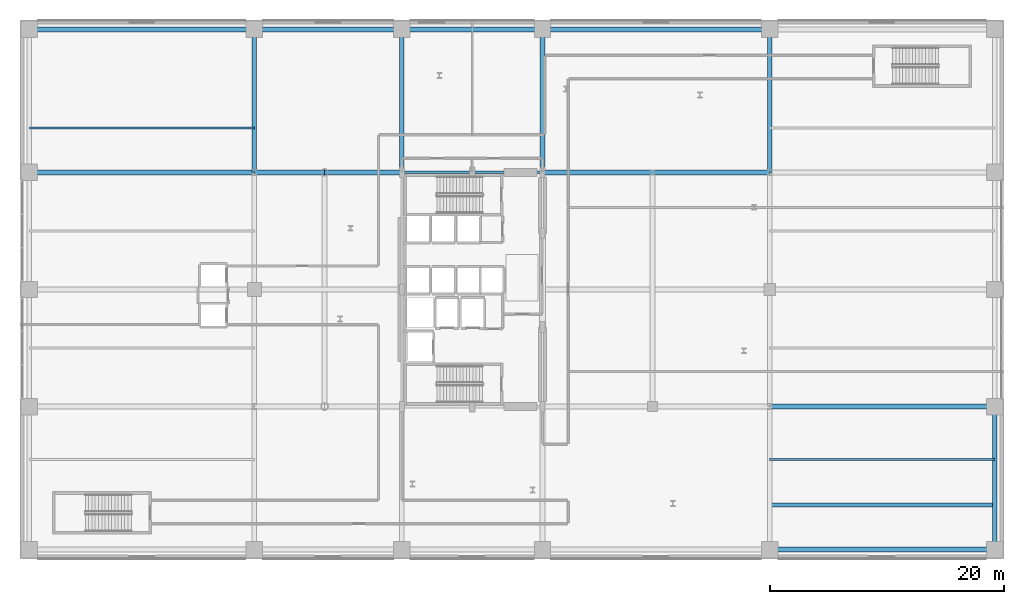
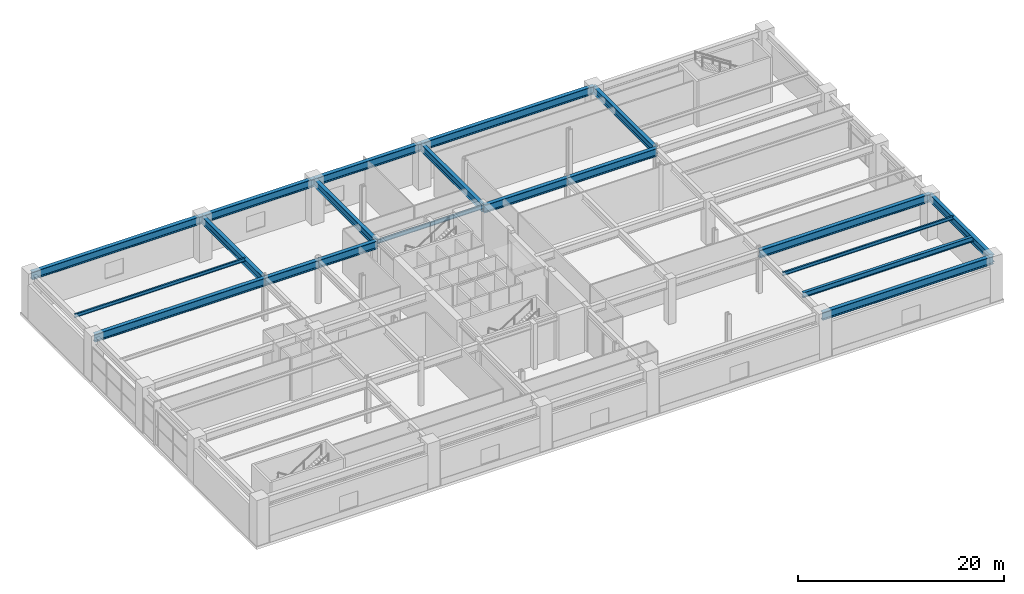
# One storey, part 12 of 28: 21 beams.
"""IFC4 building model written with IfcOpenShell, lengths in metres."""

from ifc_helpers import new_model, si_unit, direction, frame, origin, origin_2d, place, context, subcontext, project, spatial, i_section, extrude, material, material_profile, profile_set, type_object, element, save


model = new_model("IFC4")

# Units and contexts
model_context = context("Model", 3, precision=1e-05, world=origin(), true_north=direction((0.0, 1.0)))
body_context = subcontext(model_context, "Body", "Model", "MODEL_VIEW")
ifc_project = project(units=[si_unit("LENGTHUNIT", "METRE"), si_unit("AREAUNIT", "SQUARE_METRE"), si_unit("VOLUMEUNIT", "CUBIC_METRE"), si_unit("PLANEANGLEUNIT", "RADIAN"), si_unit("MASSUNIT", "GRAM", prefix="KILO")], contexts=[model_context])

# Site, building, storey
site_placement = place(None, origin())
site = spatial("IfcSite", under=ifc_project, at=site_placement, CompositionType="ELEMENT")
building_placement = place(site_placement, origin())
building = spatial("IfcBuilding", under=site, at=building_placement, Name="Soratama Intermodal Tower", CompositionType="ELEMENT")
storey_placement = place(building_placement, frame((0.0, 0.0, 6.0)))
storey = spatial("IfcBuildingStorey", under=building, at=storey_placement, Name="L01", CompositionType="ELEMENT", Elevation=6.0)

# Beams
ifc_material_1 = material(Name="Structural steel ASTM A992 Grade 50", Category="steel")
ifc_material_profile_1 = material_profile(ifc_material_1, i_section(OverallWidth=0.324951171875, OverallDepth=0.615966796875, WebThickness=0.013916015625, FlangeThickness=0.021484375, FilletRadius=0.013916015625, at=origin_2d()), Name="W24X117")
ifc_profile_set_1 = profile_set([ifc_material_profile_1], Name="Structural steel ASTM A992 Grade 50")
beam_type_1 = type_object("IfcBeamType", Name="BM-BACK-W24X117", PredefinedType="BEAM", material=ifc_profile_set_1)
beam_1_placement = place(storey_placement, frame((64.0, 6.60009765625, 4.77197265625), z_axis=(1.0, 0.0, 0.0), x_axis=(0.0, 1.0, 0.0)))
element("IfcBeam", 1, at=beam_1_placement, inside=storey, type_object=beam_type_1, Name="JST-BACK-L01-E", PredefinedType="BEAM", context=body_context, shape_type="SweptSolid", body=[
    extrude(i_section(OverallWidth=0.324951171875, OverallDepth=0.615966796875, WebThickness=0.013916015625, FlangeThickness=0.021484375, FilletRadius=0.013916015625, at=origin_2d()), origin(), (0.0, 0.0, 1.0), 19.199951171875),
])
ifc_material_2 = material(Name="Structural steel ASTM A992 Grade 50", Category="steel")
ifc_material_profile_2 = material_profile(ifc_material_2, i_section(OverallWidth=0.19091796875, OverallDepth=0.4599609375, WebThickness=0.010009765625, FlangeThickness=0.01611328125, FilletRadius=0.010986328125, at=origin_2d()), Name="W18X55")
ifc_profile_set_2 = profile_set([ifc_material_profile_2], Name="Structural steel ASTM A992 Grade 50")
beam_type_2 = type_object("IfcBeamType", Name="BM-FLR-W18X55", PredefinedType="BEAM", material=ifc_profile_set_2)
for number, where, z_axis, x_axis, name in (
    (2, (44.60009765625, 35.0, 4.85009765625), (-1.0, 0.0, 0.0), (0.0, -1.0, 0.0), "BM-L01-CRING-06"),
    (3, (38.60009765625, 35.0, 4.85009765625), (-1.0, 0.0, 0.0), (0.0, -1.0, 0.0), "BM-L01-CRING-07"),
):
    element("IfcBeam", number, at=place(storey_placement, frame(where, z_axis=z_axis, x_axis=x_axis)), inside=storey, type_object=beam_type_2, Name=name, PredefinedType="BEAM", context=body_context, shape_type="SweptSolid", body=[
        extrude(i_section(OverallWidth=0.19091796875, OverallDepth=0.4599609375, WebThickness=0.010009765625, FlangeThickness=0.01611328125, FilletRadius=0.010986328125, at=origin_2d()), origin(), (0.0, 0.0, 1.0), 6.0),
    ])
ifc_material_3 = material(Name="Structural steel ASTM A992 Grade 50", Category="steel")
ifc_material_profile_3 = material_profile(ifc_material_3, i_section(OverallWidth=0.177978515625, OverallDepth=0.406982421875, WebThickness=0.0078125, FlangeThickness=0.0126953125, FilletRadius=0.010009765625, at=origin_2d()), Name="W16X40")
ifc_profile_set_3 = profile_set([ifc_material_profile_3], Name="Structural steel ASTM A992 Grade 50")
beam_type_3 = type_object("IfcBeamType", Name="BM-JST-W16X40", PredefinedType="JOIST", material=ifc_profile_set_3)
for number, where, z_axis, x_axis, name in (
    (4, (64.0, 10.5, 4.87646484375), (1.0, 0.0, 0.0), (0.0, 1.0, 0.0), "JST-L01-E1"),
    (5, (0.800048828125, 38.800048828125, 4.87646484375), (1.0, 0.0, 0.0), (0.0, 1.0, 0.0), "JST-L01-W4"),
):
    element("IfcBeam", number, at=place(storey_placement, frame(where, z_axis=z_axis, x_axis=x_axis)), inside=storey, type_object=beam_type_3, Name=name, PredefinedType="JOIST", context=body_context, shape_type="SweptSolid", body=[
        extrude(i_section(OverallWidth=0.177978515625, OverallDepth=0.406982421875, WebThickness=0.0078125, FlangeThickness=0.0126953125, FilletRadius=0.010009765625, at=origin_2d()), origin(), (0.0, 0.0, 1.0), 19.199951171875),
    ])
ifc_material_4 = material(Name="Structural steel ASTM A992 Grade 50", Category="steel")
ifc_material_profile_4 = material_profile(ifc_material_4, i_section(OverallWidth=0.403076171875, OverallDepth=0.867919921875, WebThickness=0.02099609375, FlangeThickness=0.03564453125, FilletRadius=0.01806640625, at=origin_2d()), Name="W33X241")
ifc_profile_set_4 = profile_set([ifc_material_profile_4], Name="Structural steel ASTM A992 Grade 50")
beam_type_4 = type_object("IfcBeamType", Name="BM-POD-EXT-W33", PredefinedType="BEAM", material=ifc_profile_set_4)
beam_2_placement = place(storey_placement, frame((83.199951171875, 2.800048828125, 4.64599609375), z_axis=(0.0, 1.0, 0.0), x_axis=(-1.0, 0.0, 0.0)))
element("IfcBeam", 6, at=beam_2_placement, inside=storey, type_object=beam_type_4, Name="L01 Station Girder Y4-1", PredefinedType="BEAM", context=body_context, shape_type="SweptSolid", body=[
    extrude(i_section(OverallWidth=0.403076171875, OverallDepth=0.867919921875, WebThickness=0.02099609375, FlangeThickness=0.03564453125, FilletRadius=0.01806640625, at=origin_2d()), origin(), (0.0, 0.0, 1.0), 12.199951171875),
])
ifc_material_5 = material(Name="Structural steel ASTM A992 Grade 50", Category="steel")
ifc_material_profile_5 = material_profile(ifc_material_5, i_section(OverallWidth=0.423095703125, OverallDepth=0.93896484375, WebThickness=0.02392578125, FlangeThickness=0.042724609375, FilletRadius=0.02392578125, at=origin_2d()), Name="W36X302")
ifc_profile_set_5 = profile_set([ifc_material_profile_5], Name="Structural steel ASTM A992 Grade 50")
beam_type_5 = type_object("IfcBeamType", Name="BM-POD-EXT-W36", PredefinedType="BEAM", material=ifc_profile_set_5)
for number, where, z_axis, x_axis, name in (
    (7, (64.0, 2.800048828125, 4.610595703125), (1.0, 0.0, 0.0), (0.0, 1.0, 0.0), "L01 Station Girder X1-5"),
    (8, (0.800048828125, 47.199951171875, 4.610595703125), (1.0, 0.0, 0.0), (0.0, 1.0, 0.0), "L01 Station Girder X5-1"),
):
    element("IfcBeam", number, at=place(storey_placement, frame(where, z_axis=z_axis, x_axis=x_axis)), inside=storey, type_object=beam_type_5, Name=name, PredefinedType="BEAM", context=body_context, shape_type="SweptSolid", body=[
        extrude(i_section(OverallWidth=0.423095703125, OverallDepth=0.93896484375, WebThickness=0.02392578125, FlangeThickness=0.042724609375, FilletRadius=0.02392578125, at=origin_2d()), origin(), (0.0, 0.0, 1.0), 19.199951171875),
    ])
beam_3_placement = place(storey_placement, frame((20.0, 47.199951171875, 4.610595703125), z_axis=(1.0, 0.0, 0.0), x_axis=(0.0, 1.0, 0.0)))
element("IfcBeam", 9, at=beam_3_placement, inside=storey, type_object=beam_type_5, Name="L01 Station Girder X5-2", PredefinedType="BEAM", context=body_context, shape_type="SweptSolid", body=[
    extrude(i_section(OverallWidth=0.423095703125, OverallDepth=0.93896484375, WebThickness=0.02392578125, FlangeThickness=0.042724609375, FilletRadius=0.02392578125, at=origin_2d()), origin(), (0.0, 0.0, 1.0), 12.60009765625),
])
beam_4_placement = place(storey_placement, frame((32.60009765625, 47.199951171875, 4.610595703125), z_axis=(1.0, 0.0, 0.0), x_axis=(0.0, 1.0, 0.0)))
element("IfcBeam", 10, at=beam_4_placement, inside=storey, type_object=beam_type_5, Name="L01 Station Girder X5-3", PredefinedType="BEAM", context=body_context, shape_type="SweptSolid", body=[
    extrude(i_section(OverallWidth=0.423095703125, OverallDepth=0.93896484375, WebThickness=0.02392578125, FlangeThickness=0.042724609375, FilletRadius=0.02392578125, at=origin_2d()), origin(), (0.0, 0.0, 1.0), 12.0),
])
beam_5_placement = place(storey_placement, frame((44.60009765625, 47.199951171875, 4.610595703125), z_axis=(1.0, 0.0, 0.0), x_axis=(0.0, 1.0, 0.0)))
element("IfcBeam", 11, at=beam_5_placement, inside=storey, type_object=beam_type_5, Name="L01 Station Girder X5-4", PredefinedType="BEAM", context=body_context, shape_type="SweptSolid", body=[
    extrude(i_section(OverallWidth=0.423095703125, OverallDepth=0.93896484375, WebThickness=0.02392578125, FlangeThickness=0.042724609375, FilletRadius=0.02392578125, at=origin_2d()), origin(), (0.0, 0.0, 1.0), 19.39990234375),
])
ifc_material_6 = material(Name="Structural steel ASTM A992 Grade 50", Category="steel")
ifc_material_profile_6 = material_profile(ifc_material_6, i_section(OverallWidth=0.403076171875, OverallDepth=0.867919921875, WebThickness=0.02099609375, FlangeThickness=0.03564453125, FilletRadius=0.01806640625, at=origin_2d()), Name="W33X241")
ifc_profile_set_6 = profile_set([ifc_material_profile_6], Name="Structural steel ASTM A992 Grade 50")
beam_type_6 = type_object("IfcBeamType", Name="BM-POD-W33X241", PredefinedType="BEAM", material=ifc_profile_set_6)
for number, where, z_axis, x_axis, name in (
    (12, (20.0, 35.0, 4.64599609375), (0.0, 1.0, 0.0), (-1.0, 0.0, 0.0), "L01 Station Girder Y2-4"),
    (13, (64.0, 35.0, 4.64599609375), (0.0, 1.0, 0.0), (-1.0, 0.0, 0.0), "L01 Station Girder Y3-4"),
    (14, (32.60009765625, 35.0, 4.64599609375), (0.0, 1.0, 0.0), (-1.0, 0.0, 0.0), "BM-L01-GYC-1-2"),
    (15, (44.60009765625, 35.0, 4.64599609375), (0.0, 1.0, 0.0), (-1.0, 0.0, 0.0), "BM-L01-GYC-2-2"),
):
    element("IfcBeam", number, at=place(storey_placement, frame(where, z_axis=z_axis, x_axis=x_axis)), inside=storey, type_object=beam_type_6, Name=name, PredefinedType="BEAM", context=body_context, shape_type="SweptSolid", body=[
        extrude(i_section(OverallWidth=0.403076171875, OverallDepth=0.867919921875, WebThickness=0.02099609375, FlangeThickness=0.03564453125, FilletRadius=0.01806640625, at=origin_2d()), origin(), (0.0, 0.0, 1.0), 12.199951171875),
    ])
ifc_material_7 = material(Name="Structural steel ASTM A992 Grade 50", Category="steel")
ifc_material_profile_7 = material_profile(ifc_material_7, i_section(OverallWidth=0.423095703125, OverallDepth=0.93896484375, WebThickness=0.02392578125, FlangeThickness=0.042724609375, FilletRadius=0.02392578125, at=origin_2d()), Name="W36X302")
ifc_profile_set_7 = profile_set([ifc_material_profile_7], Name="Structural steel ASTM A992 Grade 50")
beam_type_7 = type_object("IfcBeamType", Name="BM-POD-W36X302", PredefinedType="BEAM", material=ifc_profile_set_7)
beam_6_placement = place(storey_placement, frame((64.0, 15.0, 4.610595703125), z_axis=(1.0, 0.0, 0.0), x_axis=(0.0, 1.0, 0.0)))
element("IfcBeam", 16, at=beam_6_placement, inside=storey, type_object=beam_type_7, Name="L01 Station Girder X2-6", PredefinedType="BEAM", context=body_context, shape_type="SweptSolid", body=[
    extrude(i_section(OverallWidth=0.423095703125, OverallDepth=0.93896484375, WebThickness=0.02392578125, FlangeThickness=0.042724609375, FilletRadius=0.02392578125, at=origin_2d()), origin(), (0.0, 0.0, 1.0), 19.199951171875),
])
beam_7_placement = place(storey_placement, frame((20.0, 35.0, 4.610595703125), z_axis=(1.0, 0.0, 0.0), x_axis=(0.0, 1.0, 0.0)))
element("IfcBeam", 17, at=beam_7_placement, inside=storey, type_object=beam_type_7, Name="L01 Station Girder X4-1", PredefinedType="BEAM", context=body_context, shape_type="SweptSolid", body=[
    extrude(i_section(OverallWidth=0.423095703125, OverallDepth=0.93896484375, WebThickness=0.02392578125, FlangeThickness=0.042724609375, FilletRadius=0.02392578125, at=origin_2d()), origin(), (0.0, 0.0, 1.0), 6.0),
])
beam_8_placement = place(storey_placement, frame((26.0, 35.0, 4.610595703125), z_axis=(1.0, 0.0, 0.0), x_axis=(0.0, 1.0, 0.0)))
element("IfcBeam", 18, at=beam_8_placement, inside=storey, type_object=beam_type_7, Name="L01 Station Girder X4-2", PredefinedType="BEAM", context=body_context, shape_type="SweptSolid", body=[
    extrude(i_section(OverallWidth=0.423095703125, OverallDepth=0.93896484375, WebThickness=0.02392578125, FlangeThickness=0.042724609375, FilletRadius=0.02392578125, at=origin_2d()), origin(), (0.0, 0.0, 1.0), 6.60009765625),
])
beam_9_placement = place(storey_placement, frame((44.60009765625, 35.0, 4.610595703125), z_axis=(1.0, 0.0, 0.0), x_axis=(0.0, 1.0, 0.0)))
element("IfcBeam", 19, at=beam_9_placement, inside=storey, type_object=beam_type_7, Name="L01 Station Girder X4-3", PredefinedType="BEAM", context=body_context, shape_type="SweptSolid", body=[
    extrude(i_section(OverallWidth=0.423095703125, OverallDepth=0.93896484375, WebThickness=0.02392578125, FlangeThickness=0.042724609375, FilletRadius=0.02392578125, at=origin_2d()), origin(), (0.0, 0.0, 1.0), 9.39990234375),
])
beam_10_placement = place(storey_placement, frame((54.0, 35.0, 4.610595703125), z_axis=(1.0, 0.0, 0.0), x_axis=(0.0, 1.0, 0.0)))
element("IfcBeam", 20, at=beam_10_placement, inside=storey, type_object=beam_type_7, Name="L01 Station Girder X4-4", PredefinedType="BEAM", context=body_context, shape_type="SweptSolid", body=[
    extrude(i_section(OverallWidth=0.423095703125, OverallDepth=0.93896484375, WebThickness=0.02392578125, FlangeThickness=0.042724609375, FilletRadius=0.02392578125, at=origin_2d()), origin(), (0.0, 0.0, 1.0), 10.0),
])
beam_11_placement = place(storey_placement, frame((0.800048828125, 35.0, 4.610595703125), z_axis=(1.0, 0.0, 0.0), x_axis=(0.0, 1.0, 0.0)))
element("IfcBeam", 21, at=beam_11_placement, inside=storey, type_object=beam_type_7, Name="L01 Station Girder X4-6", PredefinedType="BEAM", context=body_context, shape_type="SweptSolid", body=[
    extrude(i_section(OverallWidth=0.423095703125, OverallDepth=0.93896484375, WebThickness=0.02392578125, FlangeThickness=0.042724609375, FilletRadius=0.02392578125, at=origin_2d()), origin(), (0.0, 0.0, 1.0), 19.199951171875),
])

save(model, "model.ifc")
